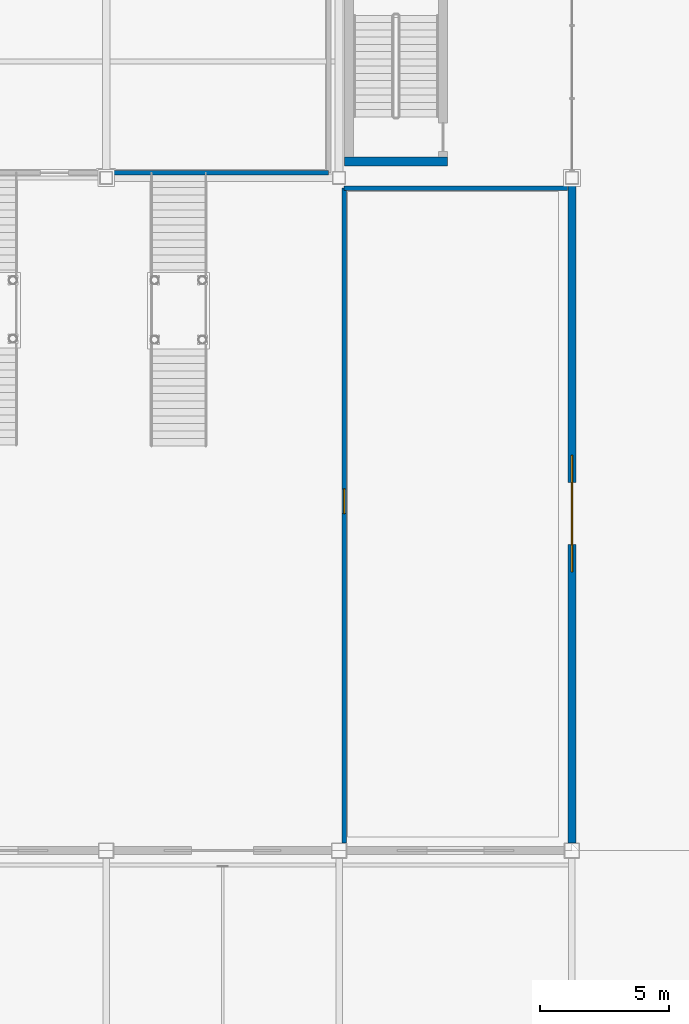
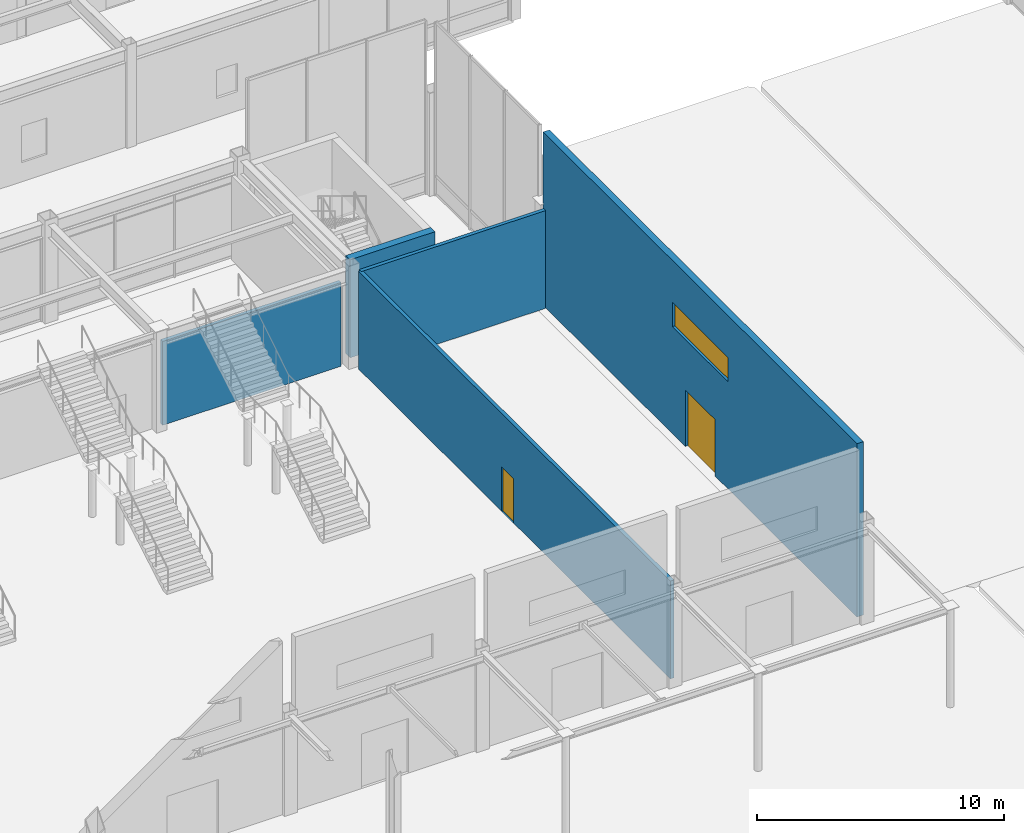
# One storey, part 86 of 123: 5 walls, 2 doors, 1 window, 3 openings.
"""IFC4 building model written with IfcOpenShell, lengths in metres."""

from ifc_helpers import new_model, si_unit, direction, frame, frame_2d, origin, place, context, subcontext, project, spatial, rectangle, extrude, material, layer, layer_set, type_object, element, fill, save


model = new_model("IFC4")

# Units and contexts
model_context = context("Model", 3, precision=1e-05, world=origin(), true_north=direction((0.0, 1.0)))
body_context = subcontext(model_context, "Body", "Model", "MODEL_VIEW")
ifc_project = project(units=[si_unit("LENGTHUNIT", "METRE"), si_unit("AREAUNIT", "SQUARE_METRE"), si_unit("VOLUMEUNIT", "CUBIC_METRE"), si_unit("PLANEANGLEUNIT", "RADIAN"), si_unit("MASSUNIT", "GRAM", prefix="KILO")], contexts=[model_context])

# Site, building, storey
site_placement = place(None, origin())
site = spatial("IfcSite", under=ifc_project, at=site_placement, CompositionType="ELEMENT")
building_placement = place(site_placement, origin())
building = spatial("IfcBuilding", under=site, at=building_placement, Name="Suzunagisa Mobility Hub", CompositionType="ELEMENT")
storey_placement = place(building_placement, origin())
storey = spatial("IfcBuildingStorey", under=building, at=storey_placement, Name="L00", CompositionType="ELEMENT", Elevation=0.0)

# Wall, openings, window, door
ifc_material_1 = material(Name="Insulated Precast Concrete C35/45 Panel", Category="concrete")
ifc_layer_1 = layer(ifc_material_1, 0.300048828125)
ifc_layer_set_1 = layer_set([ifc_layer_1], Name="Insulated Precast Concrete C35/45 Panel")
wall_type_1 = type_object("IfcWallType", Name="Exterior Wall EW-09 300mm", PredefinedType="SOLIDWALL", material=ifc_layer_set_1)
wall_1_placement = place(storey_placement, frame((117.0, 36.300048828125, 0.0), z_axis=(0.0, 0.0, 1.0), x_axis=(0.0, 1.0, 0.0)))
wall_1 = element("IfcWall", 1, at=wall_1_placement, inside=storey, type_object=wall_type_1, Name="L00 Entrance Portal Wall 80", PredefinedType="SOLIDWALL", context=body_context, shape_type="SweptSolid", body=[
    extrude(rectangle(XDim=25.449951171875, YDim=0.300048828125, at=frame_2d((12.72509765625, 0.0))), origin(), (0.0, 0.0, 1.0), 8.580078125),
])
opening_1_placement = place(wall_1_placement, frame((13.9248046875, 0.0, 0.0), z_axis=(0.0, 0.0, 1.0), x_axis=(-1.0, 0.0, 0.0)))
opening_1 = element("IfcOpeningElement", 2, at=opening_1_placement, cuts=wall_1, Name="Opening ED-13", PredefinedType="OPENING", context=body_context, shape_type="SweptSolid", body=[
    extrude(rectangle(XDim=2.39990234375, YDim=2.800048828125, at=frame_2d((1.199951171875, 1.39990234375))), frame((0.0, 0.1611328125, 0.0), z_axis=(0.0, -1.0, 0.0), x_axis=(1.0, 0.0, 0.0)), (0.0, 0.0, 1.0), 0.322021484375),
])
opening_2_placement = place(wall_1_placement, frame((10.47509765625, 0.0, 5.300048828125)))
opening_2 = element("IfcOpeningElement", 3, at=opening_2_placement, cuts=wall_1, Name="Opening WN-28", PredefinedType="OPENING", context=body_context, shape_type="SweptSolid", body=[
    extrude(rectangle(XDim=4.5, YDim=1.199951171875, at=frame_2d((2.25, 0.60009765625))), frame((0.0, 0.1611328125, 0.0), z_axis=(0.0, -1.0, 0.0), x_axis=(1.0, 0.0, 0.0)), (0.0, 0.0, 1.0), 0.322021484375),
])
ifc_material_2 = material(Name="Thermally Broken Anodized Aluminum and Low-E Double Glazing", Category="aluminium")
window_type = type_object("IfcWindowType", Name="Aluminum Window WN-28 4500x1200", PartitioningType="SINGLE_PANEL", PredefinedType="WINDOW", material=ifc_material_2)
window_placement = place(opening_2_placement, origin())
window = element("IfcWindow", 4, at=window_placement, inside=storey, type_object=window_type, Name="L00 Concourse Clerestory Window WN-23", OverallHeight=1.199951171875, OverallWidth=4.5, PartitioningType="SINGLE_PANEL", PredefinedType="WINDOW", context=body_context, shape_type="SweptSolid", body=[
    extrude(rectangle(XDim=4.5, YDim=1.199951171875, at=frame_2d((2.25, 0.60009765625))), frame((0.0, 0.030029296875, 0.0), z_axis=(0.0, -1.0, 0.0), x_axis=(1.0, 0.0, 0.0)), (0.0, 0.0, 1.0), 0.06005859375),
])
fill(opening_2, window)
ifc_material_3 = material(Name="Anodized Aluminum and Tempered Safety Glass", Category="aluminium")
door_type_1 = type_object("IfcDoorType", Name="Exterior Glazed Aluminum Door ED-13 2400x2800", OperationType="DOUBLE_DOOR_SINGLE_SWING", PredefinedType="DOOR", material=ifc_material_3)
door_1_placement = place(opening_1_placement, origin())
door_1 = element("IfcDoor", 5, at=door_1_placement, inside=storey, type_object=door_type_1, Name="L00 Main Concourse Pedestrian Final Exit Door EX-13", OperationType="SINGLE_SWING_LEFT", OverallHeight=2.800048828125, OverallWidth=2.39990234375, PredefinedType="DOOR", context=body_context, shape_type="SweptSolid", body=[
    extrude(rectangle(XDim=2.39990234375, YDim=2.800048828125, at=frame_2d((1.199951171875, 1.39990234375))), frame((0.0, 0.02490234375, 0.0), z_axis=(0.0, -1.0, 0.0), x_axis=(1.0, 0.0, 0.0)), (0.0, 0.0, 1.0), 0.050048828125),
])
fill(opening_1, door_1)

# Walls
ifc_material_4 = material(Name="Concrete C35/45", Category="concrete")
ifc_layer_2 = layer(ifc_material_4, 0.35009765625)
ifc_layer_set_2 = layer_set([ifc_layer_2], Name="Concrete C35/45")
wall_type_2 = type_object("IfcWallType", Name="Interior Wall IW-04 350mm", PredefinedType="SHEAR", material=ifc_layer_set_2)
wall_2_placement = place(storey_placement, frame((108.2099609375, 62.625, 0.0), z_axis=(0.0, 0.0, 1.0), x_axis=(1.0, 0.0, 0.0)))
element("IfcWall", 6, at=wall_2_placement, inside=storey, type_object=wall_type_2, Name="L00 Core C2B Shear Wall SW-101", PredefinedType="SHEAR", context=body_context, shape_type="SweptSolid", body=[
    extrude(rectangle(XDim=3.97998046875, YDim=0.35009765625, at=frame_2d((1.989990234375, 0.0))), origin(), (0.0, 0.0, 1.0), 4.85009765625),
])
ifc_material_5 = material(Name="Fire-Rated Gypsum Stud Partition", Category="gypsum")
ifc_layer_3 = layer(ifc_material_5, 0.169921875)
ifc_layer_set_3 = layer_set([ifc_layer_3], Name="Fire-Rated Gypsum Stud Partition")
wall_type_3 = type_object("IfcWallType", Name="Interior Wall IW-05 170mm", PredefinedType="PARTITIONING", material=ifc_layer_set_3)
wall_3_placement = place(storey_placement, frame((108.199951171875, 61.60009765625, 0.0), z_axis=(0.0, 0.0, 1.0), x_axis=(1.0, 0.0, 0.0)))
element("IfcWall", 7, at=wall_3_placement, inside=storey, type_object=wall_type_3, Name="L00 East Taxi and Accessible Shuttle Boarding Lounge Partition PW-706", PredefinedType="PARTITIONING", context=body_context, shape_type="SweptSolid", body=[
    extrude(rectangle(XDim=8.635009765625, YDim=0.169921875, at=frame_2d((4.3173828125, 0.0))), origin(), (0.0, 0.0, 1.0), 4.840087890625),
])

# Wall, opening, door
wall_4_placement = place(storey_placement, frame((108.199951171875, 36.300048828125, 0.0), z_axis=(0.0, 0.0, 1.0), x_axis=(0.0, 1.0, 0.0)))
wall_4 = element("IfcWall", 8, at=wall_4_placement, inside=storey, type_object=wall_type_3, Name="L00 East Taxi and Accessible Shuttle Boarding Lounge Partition PW-707", PredefinedType="PARTITIONING", context=body_context, shape_type="SweptSolid", body=[
    extrude(rectangle(XDim=25.300048828125, YDim=0.169921875, at=frame_2d((12.64990234375, 0.0))), origin(), (0.0, 0.0, 1.0), 4.840087890625),
])
opening_3_placement = place(wall_4_placement, frame((12.719970703125, 0.0, 0.0)))
opening_3 = element("IfcOpeningElement", 9, at=opening_3_placement, cuts=wall_4, Name="Opening DR-13", PredefinedType="OPENING", context=body_context, shape_type="SweptSolid", body=[
    extrude(rectangle(XDim=0.9599609375, YDim=2.199951171875, at=frame_2d((0.47998046875, 1.10009765625))), frame((0.0, 0.095947265625, 0.0), z_axis=(0.0, -1.0, 0.0), x_axis=(1.0, 0.0, 0.0)), (0.0, 0.0, 1.0), 0.19189453125),
])
ifc_material_6 = material(Name="Anodized Aluminum Framed Acoustic Door", Category="aluminium")
door_type_2 = type_object("IfcDoorType", Name="Interior Door DR-13 960x2200", OperationType="SINGLE_SWING_LEFT", PredefinedType="DOOR", material=ifc_material_6)
door_2_placement = place(opening_3_placement, origin())
door_2 = element("IfcDoor", 10, at=door_2_placement, inside=storey, type_object=door_type_2, Name="L00 East Taxi and Accessible Shuttle Boarding Lounge Door DR-178", OperationType="SINGLE_SWING_LEFT", OverallHeight=2.199951171875, OverallWidth=0.9599609375, PredefinedType="DOOR", context=body_context, shape_type="SweptSolid", body=[
    extrude(rectangle(XDim=0.9599609375, YDim=2.199951171875, at=frame_2d((0.47998046875, 1.10009765625))), frame((0.0, 0.02490234375, 0.0), z_axis=(0.0, -1.0, 0.0), x_axis=(1.0, 0.0, 0.0)), (0.0, 0.0, 1.0), 0.050048828125),
])
fill(opening_3, door_2)

# Wall
wall_5_placement = place(storey_placement, frame((99.25, 62.199951171875, 0.0), z_axis=(0.0, 0.0, 1.0), x_axis=(1.0, 0.0, 0.0)))
element("IfcWall", 11, at=wall_5_placement, inside=storey, type_object=wall_type_3, Name="L00 Bus Berths Dispatch and Station Operations Office Partition PW-715", PredefinedType="PARTITIONING", context=body_context, shape_type="SweptSolid", body=[
    extrude(rectangle(XDim=8.35009765625, YDim=0.169921875, at=frame_2d((4.175048828125, 0.0))), origin(), (0.0, 0.0, 1.0), 4.14990234375),
])

save(model, "model.ifc")
